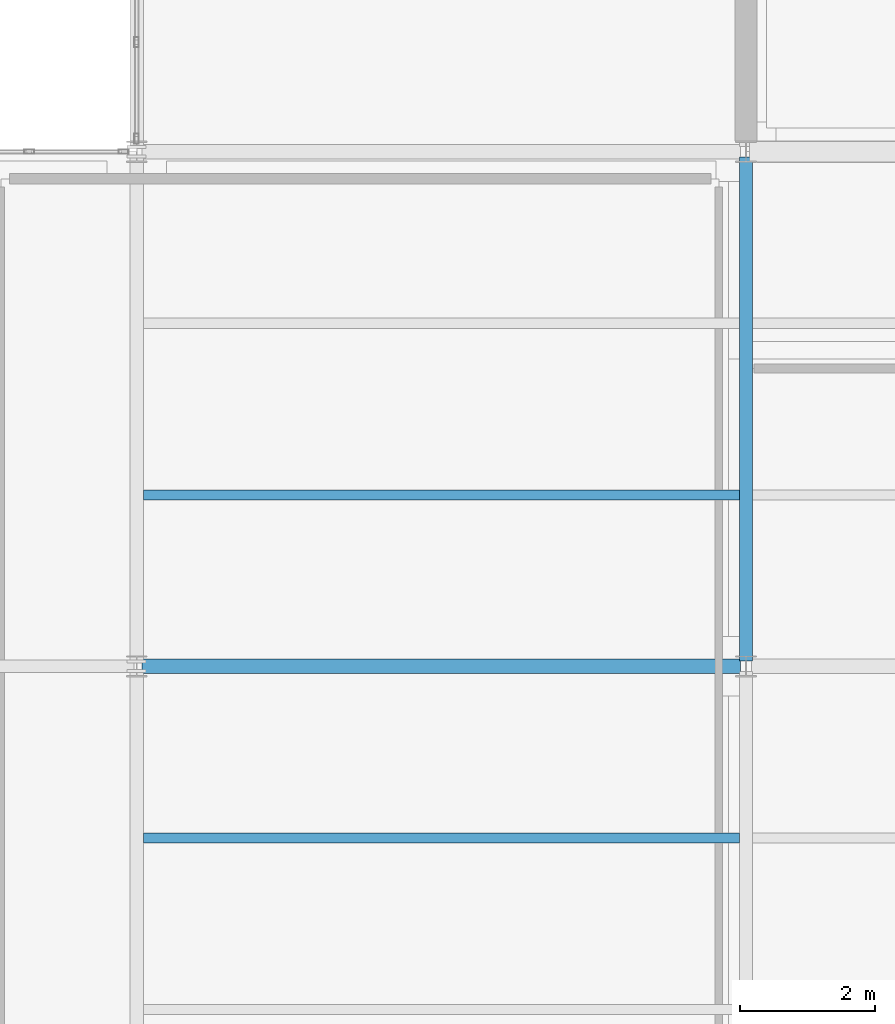
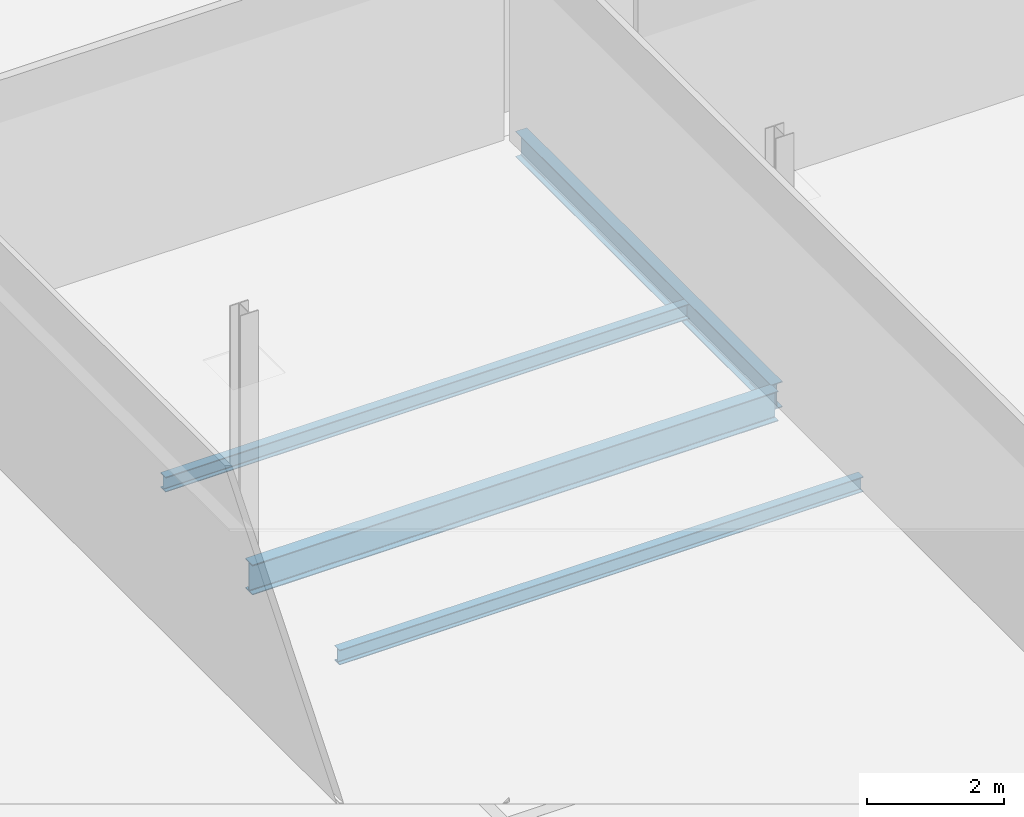
# One storey, part 103 of 166: 4 beams.
"""IFC4 building model written with IfcOpenShell, lengths in metres."""

from ifc_helpers import new_model, si_unit, direction, frame, origin, origin_2d, place, context, subcontext, project, spatial, i_section, extrude, material, material_profile, profile_set, type_object, element, save


model = new_model("IFC4")

# Units and contexts
model_context = context("Model", 3, precision=1e-05, world=origin(), true_north=direction((0.0, 1.0)))
body_context = subcontext(model_context, "Body", "Model", "MODEL_VIEW")
ifc_project = project(units=[si_unit("LENGTHUNIT", "METRE"), si_unit("AREAUNIT", "SQUARE_METRE"), si_unit("VOLUMEUNIT", "CUBIC_METRE"), si_unit("PLANEANGLEUNIT", "RADIAN"), si_unit("MASSUNIT", "GRAM", prefix="KILO")], contexts=[model_context])

# Site, building, storey
site_placement = place(None, origin())
site = spatial("IfcSite", under=ifc_project, at=site_placement, CompositionType="ELEMENT")
building_placement = place(site_placement, origin())
building = spatial("IfcBuilding", under=site, at=building_placement, Name="Caisbarro Railhouse Central Library", CompositionType="ELEMENT")
storey_placement = place(building_placement, frame((0.0, 0.0, 9.360107421875)))
storey = spatial("IfcBuildingStorey", under=building, at=storey_placement, Name="L02", CompositionType="ELEMENT", Elevation=9.360107421875)

# Beams
ifc_material = material(Name="Steel ASTM A572 Grade 50", Category="steel")
ifc_material_profile_1 = material_profile(ifc_material, i_section(OverallWidth=0.208984375, OverallDepth=0.532958984375, WebThickness=0.01025390625, FlangeThickness=0.015625, FilletRadius=0.02001953125, at=origin_2d()), Name="W530X92.0")
ifc_profile_set_1 = profile_set([ifc_material_profile_1], Name="Steel ASTM A572 Grade 50")
beam_type_1 = type_object("IfcBeamType", Name="BM-G06", PredefinedType="BEAM", material=ifc_profile_set_1)
beam_1_placement = place(storey_placement, frame((117.080078125, 98.800048828125, -0.486572265625), z_axis=(1.0, 0.0, 0.0), x_axis=(0.0, 1.0, 0.0)))
element("IfcBeam", 1, at=beam_1_placement, inside=storey, type_object=beam_type_1, Name="G06 beam L02 #1494", PredefinedType="BEAM", context=body_context, shape_type="SweptSolid", body=[
    extrude(i_section(OverallWidth=0.208984375, OverallDepth=0.532958984375, WebThickness=0.01025390625, FlangeThickness=0.015625, FilletRadius=0.02001953125, at=origin_2d()), origin(), (0.0, 0.0, 1.0), 8.83984375),
])
ifc_material_profile_2 = material_profile(ifc_material, i_section(OverallWidth=0.18994140625, OverallDepth=0.45703125, WebThickness=0.009033203125, FlangeThickness=0.014404296875, FilletRadius=0.01806640625, at=origin_2d()), Name="W460X74.0")
ifc_profile_set_2 = profile_set([ifc_material_profile_2], Name="Steel ASTM A572 Grade 50")
beam_type_2 = type_object("IfcBeamType", Name="BM-G08", PredefinedType="BEAM", material=ifc_profile_set_2)
beam_2_placement = place(storey_placement, frame((126.0, 98.8798828125, -0.448486328125), z_axis=(0.0, 1.0, 0.0), x_axis=(-1.0, 0.0, 0.0)))
element("IfcBeam", 2, at=beam_2_placement, inside=storey, type_object=beam_type_2, Name="G08 beam L02 #1518", PredefinedType="BEAM", context=body_context, shape_type="SweptSolid", body=[
    extrude(i_section(OverallWidth=0.18994140625, OverallDepth=0.45703125, WebThickness=0.009033203125, FlangeThickness=0.014404296875, FilletRadius=0.01806640625, at=origin_2d()), origin(), (0.0, 0.0, 1.0), 7.440185546875),
])
ifc_material_profile_3 = material_profile(ifc_material, i_section(OverallWidth=0.14794921875, OverallDepth=0.26611328125, WebThickness=0.007568359375, FlangeThickness=0.012939453125, FilletRadius=0.010009765625, at=origin_2d()), Name="W250X44.8")
ifc_profile_set_3 = profile_set([ifc_material_profile_3], Name="Steel ASTM A572 Grade 50")
beam_type_3 = type_object("IfcBeamType", Name="BM-J04", PredefinedType="JOIST", material=ifc_profile_set_3)
for number, where, z_axis, x_axis, name in (
    (3, (117.10009765625, 96.2666015625, -0.35302734375), (1.0, 0.0, 0.0), (0.0, 1.0, 0.0), "J04 beam L02 #1548"),
    (4, (117.10009765625, 101.333251953125, -0.35302734375), (1.0, 0.0, 0.0), (0.0, 1.0, 0.0), "J04 beam L02 #1549"),
):
    element("IfcBeam", number, at=place(storey_placement, frame(where, z_axis=z_axis, x_axis=x_axis)), inside=storey, type_object=beam_type_3, Name=name, PredefinedType="JOIST", context=body_context, shape_type="SweptSolid", body=[
        extrude(i_section(OverallWidth=0.14794921875, OverallDepth=0.26611328125, WebThickness=0.007568359375, FlangeThickness=0.012939453125, FilletRadius=0.010009765625, at=origin_2d()), origin(), (0.0, 0.0, 1.0), 8.804931640625),
    ])

save(model, "model.ifc")
